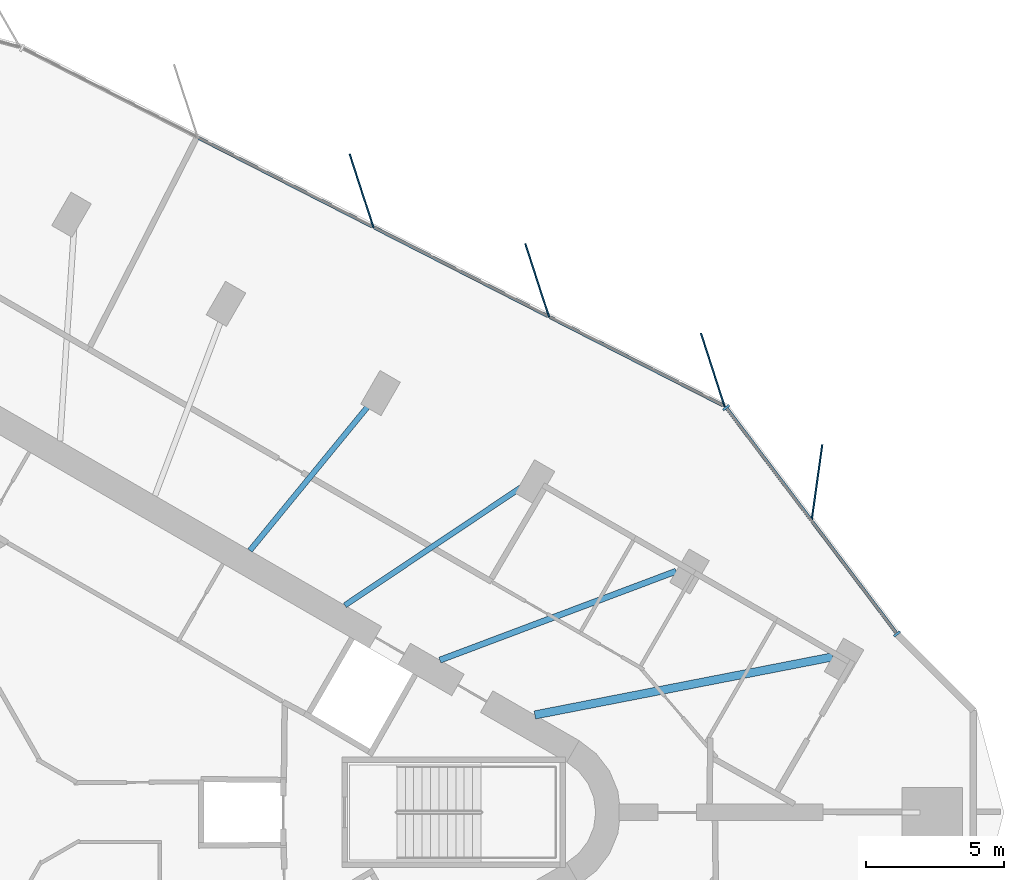
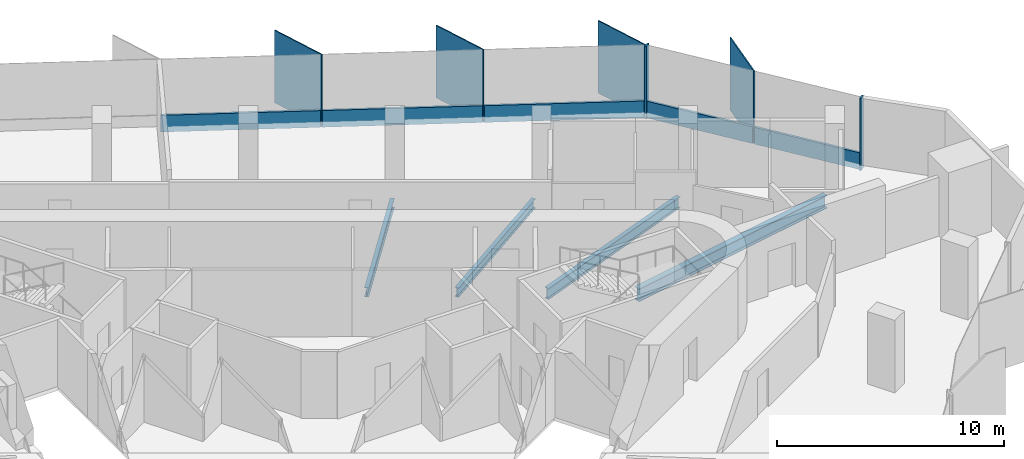
# One storey, part 5 of 12: 11 members, 4 beams, 2 elements without a shape of their own.
"""IFC4 building model written with IfcOpenShell, lengths in metres."""

from ifc_helpers import new_model, si_unit, direction, frame, origin, origin_2d, place, context, subcontext, project, spatial, rectangle, i_section, extrude, material, material_profile, profile_set, type_object, element, aggregate, save


model = new_model("IFC4")

# Units and contexts
model_context = context("Model", 3, precision=1e-05, world=origin(), true_north=direction((0.0, 1.0)))
body_context = subcontext(model_context, "Body", "Model", "MODEL_VIEW")
ifc_project = project(units=[si_unit("LENGTHUNIT", "METRE"), si_unit("AREAUNIT", "SQUARE_METRE"), si_unit("VOLUMEUNIT", "CUBIC_METRE"), si_unit("PLANEANGLEUNIT", "RADIAN"), si_unit("MASSUNIT", "GRAM", prefix="KILO")], contexts=[model_context])

# Site, building, storey
site_placement = place(None, origin())
site = spatial("IfcSite", under=ifc_project, at=site_placement, CompositionType="ELEMENT")
building_placement = place(site_placement, origin())
building = spatial("IfcBuilding", under=site, at=building_placement, Name="Tanit Gate Tower", CompositionType="ELEMENT")
storey_placement = place(building_placement, frame((0.0, 0.0, 357.199951171875)))
storey = spatial("IfcBuildingStorey", under=building, at=storey_placement, Name="L81", CompositionType="ELEMENT", Elevation=357.199951171875)

# Curtain wall, member
ifc_material_1 = material(Name="Aluminium bronze anodised and glass", Category="aluminium")
curtain_wall_type = type_object("IfcCurtainWallType", Name="Curtain wall typical high", PredefinedType="NOTDEFINED", material=ifc_material_1)
curtain_wall_1_placement = place(storey_placement, origin())
curtain_wall_1 = element("IfcCurtainWall", 1, at=curtain_wall_1_placement, inside=storey, type_object=curtain_wall_type, Name="Curtain wall L81 NE1", PredefinedType="NOTDEFINED")
ifc_material_2 = material(Name="Aluminium bronze anodised", Category="aluminium")
ifc_material_profile_1 = material_profile(ifc_material_2, rectangle(XDim=2.800048828125, YDim=0.055908203125, at=origin_2d()), Name="56x2800 bronze fin mullion")
ifc_profile_set_1 = profile_set([ifc_material_profile_1], Name="Aluminium bronze anodised")
member_type_1 = type_object("IfcMemberType", Name="FIN MULLION 56x2800 bronze", PredefinedType="MULLION", material=ifc_profile_set_1)
member_1_placement = place(storey_placement, frame((28.3125, 11.931884765625, -0.300048828125), z_axis=(0.0, 0.0, 1.0), x_axis=(-0.138285261865, -0.990392440576, 0.0)))
member_1 = element("IfcMember", 2, at=member_1_placement, type_object=member_type_1, Name="Fin mullion L81 NE1.2", PredefinedType="MULLION", context=body_context, shape_type="SweptSolid", body=[
    extrude(rectangle(XDim=2.800048828125, YDim=0.055908203125, at=origin_2d()), origin(), (0.0, 0.0, 1.0), 3.900146484375),
])

# Curtain wall, members
curtain_wall_2_placement = place(storey_placement, origin())
curtain_wall_2 = element("IfcCurtainWall", 3, at=curtain_wall_2_placement, inside=storey, type_object=curtain_wall_type, Name="Curtain wall L81 NE2", PredefinedType="NOTDEFINED")
member_2_placement = place(storey_placement, frame((24.541259765625, 16.027099609375, -0.300048828125), z_axis=(0.0, 0.0, 1.0), x_axis=(0.308568289465, -0.951202192353, 0.0)))
member_2 = element("IfcMember", 4, at=member_2_placement, type_object=member_type_1, Name="Fin mullion L81 NE2.1", PredefinedType="MULLION", context=body_context, shape_type="SweptSolid", body=[
    extrude(rectangle(XDim=2.800048828125, YDim=0.055908203125, at=origin_2d()), origin(), (0.0, 0.0, 1.0), 3.900146484375),
])
member_3_placement = place(storey_placement, frame((18.178466796875, 19.27294921875, -0.300048828125), z_axis=(0.0, 0.0, 1.0), x_axis=(0.308568289465, -0.951202192353, 0.0)))
member_3 = element("IfcMember", 5, at=member_3_placement, type_object=member_type_1, Name="Fin mullion L81 NE2.2", PredefinedType="MULLION", context=body_context, shape_type="SweptSolid", body=[
    extrude(rectangle(XDim=2.800048828125, YDim=0.055908203125, at=origin_2d()), origin(), (0.0, 0.0, 1.0), 3.900146484375),
])
member_4_placement = place(storey_placement, frame((11.81591796875, 22.5185546875, -0.300048828125), z_axis=(0.0, 0.0, 1.0), x_axis=(0.308568289465, -0.951202192353, 0.0)))
member_4 = element("IfcMember", 6, at=member_4_placement, type_object=member_type_1, Name="Fin mullion L81 NE2.3", PredefinedType="MULLION", context=body_context, shape_type="SweptSolid", body=[
    extrude(rectangle(XDim=2.800048828125, YDim=0.055908203125, at=origin_2d()), origin(), (0.0, 0.0, 1.0), 3.900146484375),
])

# Member
ifc_material_3 = material(Name="Aluminium bronze anodised", Category="aluminium")
ifc_material_profile_2 = material_profile(ifc_material_3, rectangle(XDim=0.280029296875, YDim=0.080078125, at=origin_2d()), Name="80x280 bronze mullion")
ifc_profile_set_2 = profile_set([ifc_material_profile_2], Name="Aluminium bronze anodised")
member_type_2 = type_object("IfcMemberType", Name="Mullion 80x280 typical high", PredefinedType="MULLION", material=ifc_profile_set_2)
member_5_placement = place(storey_placement, frame((31.216552734375, 6.465576171875, -0.300048828125), z_axis=(0.0, 0.0, 1.0), x_axis=(-0.79809565717, -0.602530764365, 0.0)))
member_5 = element("IfcMember", 7, at=member_5_placement, type_object=member_type_2, Name="Mullion L81 NE1.1", PredefinedType="MULLION", context=body_context, shape_type="SweptSolid", body=[
    extrude(rectangle(XDim=0.280029296875, YDim=0.080078125, at=origin_2d()), origin(), (0.0, 0.0, 1.0), 3.900146484375),
])

member_6_placement = place(storey_placement, frame((25.02685546875, 14.6640625, -0.300048828125), z_axis=(0.0, 0.0, 1.0), x_axis=(-0.79809565717, -0.602530764365, 0.0)))
member_6 = element("IfcMember", 8, at=member_6_placement, type_object=member_type_2, Name="Mullion L81 NE1.3", PredefinedType="MULLION", context=body_context, shape_type="SweptSolid", body=[
    extrude(rectangle(XDim=0.280029296875, YDim=0.080078125, at=origin_2d()), origin(), (0.0, 0.0, 1.0), 3.900146484375),
])

# Beams
ifc_material_4 = material(Name="Steel S355", Category="steel")
ifc_material_profile_3 = material_profile(ifc_material_4, i_section(OverallWidth=0.300048828125, OverallDepth=0.68994140625, WebThickness=0.014404296875, FlangeThickness=0.027099609375, FilletRadius=0.027099609375, at=origin_2d()), Name="HEA 700")
ifc_profile_set_3 = profile_set([ifc_material_profile_3], Name="Steel S355")
beam_type_1 = type_object("IfcBeamType", Name="RADIAL GIRDER HEA 700 S355", PredefinedType="BEAM", material=ifc_profile_set_3)
beam_1_placement = place(storey_placement, frame((28.885498046875, 5.6337890625, -0.64501953125), z_axis=(-0.981508704714, -0.191417508528, 0.0), x_axis=(0.191417508528, -0.981508704714, 0.0)))
element("IfcBeam", 9, at=beam_1_placement, inside=storey, type_object=beam_type_1, Name="RADIAL GIRDER", PredefinedType="BEAM", context=body_context, shape_type="SweptSolid", body=[
    extrude(i_section(OverallWidth=0.300048828125, OverallDepth=0.68994140625, WebThickness=0.014404296875, FlangeThickness=0.027099609375, FilletRadius=0.027099609375, at=origin_2d()), origin(), (0.0, 0.0, 1.0), 10.996826171875),
])
ifc_material_5 = material(Name="Steel S355", Category="steel")
ifc_material_profile_4 = material_profile(ifc_material_5, i_section(OverallWidth=0.199951171875, OverallDepth=0.5, WebThickness=0.01025390625, FlangeThickness=0.01611328125, FilletRadius=0.02099609375, at=origin_2d()), Name="IPE 500")
ifc_profile_set_4 = profile_set([ifc_material_profile_4], Name="Steel S355")
beam_type_2 = type_object("IfcBeamType", Name="RADIAL GIRDER IPE 500 S355", PredefinedType="BEAM", material=ifc_profile_set_4)
beam_2_placement = place(storey_placement, frame((17.59423828125, 11.771728515625, -0.550048828125), z_axis=(-0.831129673439, -0.556078650849, 0.0), x_axis=(0.556078650849, -0.831129673439, 0.0)))
element("IfcBeam", 10, at=beam_2_placement, inside=storey, type_object=beam_type_2, Name="RADIAL GIRDER", PredefinedType="BEAM", context=body_context, shape_type="SweptSolid", body=[
    extrude(i_section(OverallWidth=0.199951171875, OverallDepth=0.5, WebThickness=0.01025390625, FlangeThickness=0.01611328125, FilletRadius=0.02099609375, at=origin_2d()), origin(), (0.0, 0.0, 1.0), 7.6796875),
])
beam_3_placement = place(storey_placement, frame((12.1953125, 14.888916015625, -0.550048828125), z_axis=(-0.633668026137, -0.773605088305, 0.0), x_axis=(0.773605088305, -0.633668026137, 0.0)))
element("IfcBeam", 11, at=beam_3_placement, inside=storey, type_object=beam_type_2, Name="RADIAL GIRDER", PredefinedType="BEAM", context=body_context, shape_type="SweptSolid", body=[
    extrude(i_section(OverallWidth=0.199951171875, OverallDepth=0.5, WebThickness=0.01025390625, FlangeThickness=0.01611328125, FilletRadius=0.02099609375, at=origin_2d()), origin(), (0.0, 0.0, 1.0), 6.982177734375),
])
ifc_material_6 = material(Name="Steel S355", Category="steel")
ifc_material_profile_5 = material_profile(ifc_material_6, i_section(OverallWidth=0.219970703125, OverallDepth=0.60009765625, WebThickness=0.011962890625, FlangeThickness=0.01904296875, FilletRadius=0.02392578125, at=origin_2d()), Name="IPE 600")
ifc_profile_set_5 = profile_set([ifc_material_profile_5], Name="Steel S355")
beam_type_3 = type_object("IfcBeamType", Name="RADIAL GIRDER IPE 600 S355", PredefinedType="BEAM", material=ifc_profile_set_5)
beam_4_placement = place(storey_placement, frame((23.213623046875, 8.73779296875, -0.599853515625), z_axis=(-0.935888654917, -0.352295934688, 0.0), x_axis=(0.352295934688, -0.935888654917, 0.0)))
element("IfcBeam", 12, at=beam_4_placement, inside=storey, type_object=beam_type_3, Name="RADIAL GIRDER", PredefinedType="BEAM", context=body_context, shape_type="SweptSolid", body=[
    extrude(i_section(OverallWidth=0.219970703125, OverallDepth=0.60009765625, WebThickness=0.011962890625, FlangeThickness=0.01904296875, FilletRadius=0.02392578125, at=origin_2d()), origin(), (0.0, 0.0, 1.0), 9.148193359375),
])

# Member
ifc_material_7 = material(Name="Aluminium bronze anodised", Category="aluminium")
ifc_material_profile_6 = material_profile(ifc_material_7, rectangle(XDim=0.1201171875, YDim=0.89990234375, at=origin_2d()), Name="120x900 bronze transom")
ifc_profile_set_6 = profile_set([ifc_material_profile_6], Name="Aluminium bronze anodised")
member_type_3 = type_object("IfcMemberType", Name="Transom 120x900 typical high", PredefinedType="USERDEFINED", material=ifc_profile_set_6)
member_7_placement = place(storey_placement, frame((31.1923828125, 6.49755859375, 0.150146484375), z_axis=(-0.602538652599, 0.798089701803, 0.0), x_axis=(-0.798089701803, -0.602538652599, 0.0)))
member_7 = element("IfcMember", 13, at=member_7_placement, type_object=member_type_3, Name="Transom L81 NE1.1", ObjectType="TRANSOM", PredefinedType="USERDEFINED", context=body_context, shape_type="SweptSolid", body=[
    extrude(rectangle(XDim=0.1201171875, YDim=0.89990234375, at=origin_2d()), origin(), (0.0, 0.0, 1.0), 5.056396484375),
])

member_8_placement = place(storey_placement, frame((28.09765625, 10.596923828125, 0.150146484375), z_axis=(-0.602538652599, 0.798089701803, 0.0), x_axis=(-0.798089701803, -0.602538652599, 0.0)))
member_8 = element("IfcMember", 14, at=member_8_placement, type_object=member_type_3, Name="Transom L81 NE1.2", ObjectType="TRANSOM", PredefinedType="USERDEFINED", context=body_context, shape_type="SweptSolid", body=[
    extrude(rectangle(XDim=0.1201171875, YDim=0.89990234375, at=origin_2d()), origin(), (0.0, 0.0, 1.0), 5.056396484375),
])

aggregate(curtain_wall_1, [member_5, member_1, member_6, member_7, member_8])

member_9_placement = place(storey_placement, frame((24.931640625, 14.732421875, 0.150146484375), z_axis=(-0.890789284011, 0.45441660565, 0.0), x_axis=(-0.45441660565, -0.890789284011, 0.0)))
member_9 = element("IfcMember", 15, at=member_9_placement, type_object=member_type_3, Name="Transom L81 NE2.1", ObjectType="TRANSOM", PredefinedType="USERDEFINED", context=body_context, shape_type="SweptSolid", body=[
    extrude(rectangle(XDim=0.1201171875, YDim=0.89990234375, at=origin_2d()), origin(), (0.0, 0.0, 1.0), 7.062744140625),
])

member_10_placement = place(storey_placement, frame((18.56884765625, 17.978271484375, 0.150146484375), z_axis=(-0.890803276129, 0.454389175969, 0.0), x_axis=(-0.454389175969, -0.890803276129, 0.0)))
member_10 = element("IfcMember", 16, at=member_10_placement, type_object=member_type_3, Name="Transom L81 NE2.2", ObjectType="TRANSOM", PredefinedType="USERDEFINED", context=body_context, shape_type="SweptSolid", body=[
    extrude(rectangle(XDim=0.1201171875, YDim=0.89990234375, at=origin_2d()), origin(), (0.0, 0.0, 1.0), 7.062744140625),
])

member_11_placement = place(storey_placement, frame((12.2060546875, 21.223876953125, 0.150146484375), z_axis=(-0.890789284011, 0.45441660565, 0.0), x_axis=(-0.45441660565, -0.890789284011, 0.0)))
member_11 = element("IfcMember", 17, at=member_11_placement, type_object=member_type_3, Name="Transom L81 NE2.3", ObjectType="TRANSOM", PredefinedType="USERDEFINED", context=body_context, shape_type="SweptSolid", body=[
    extrude(rectangle(XDim=0.1201171875, YDim=0.89990234375, at=origin_2d()), origin(), (0.0, 0.0, 1.0), 7.062744140625),
])

aggregate(curtain_wall_2, [member_2, member_3, member_4, member_9, member_10, member_11])

save(model, "model.ifc")
